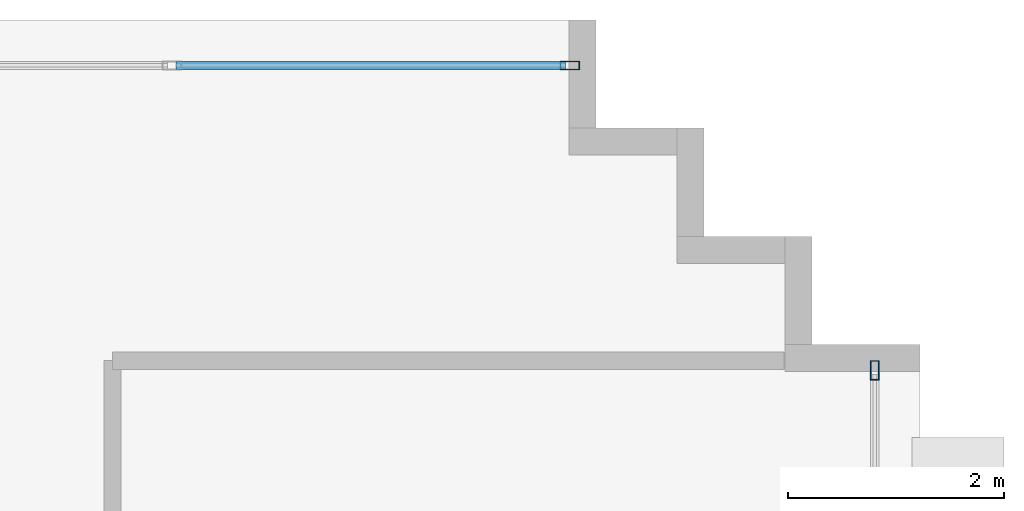
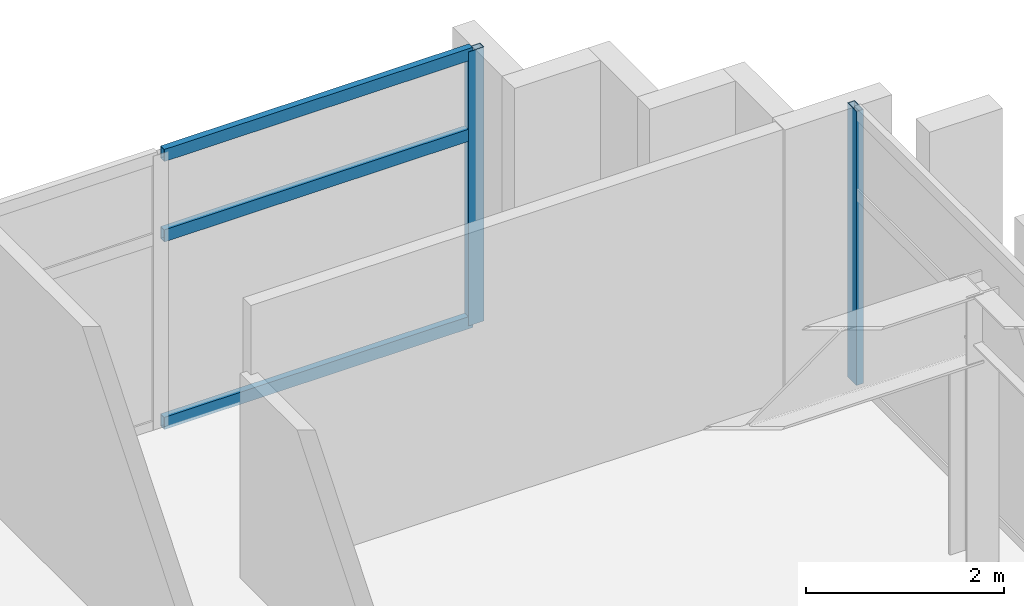
# One storey, part 10 of 15: 5 members, 2 elements without a shape of their own.
"""IFC4 building model written with IfcOpenShell, lengths in metres."""

from ifc_helpers import new_model, si_unit, direction, frame, origin, origin_2d, place, context, subcontext, project, spatial, hollow_rectangle, extrude, source, transform, mapped, material, layer, layer_set, material_profile, profile_set, type_object, element, aggregate, save


model = new_model("IFC4")

# Units and contexts
model_context = context("Model", 3, precision=1e-05, world=origin(), true_north=direction((0.0, 1.0)))
body_context = subcontext(model_context, "Body", "Model", "MODEL_VIEW")
ifc_project = project(units=[si_unit("LENGTHUNIT", "METRE"), si_unit("AREAUNIT", "SQUARE_METRE"), si_unit("VOLUMEUNIT", "CUBIC_METRE"), si_unit("PLANEANGLEUNIT", "RADIAN"), si_unit("MASSUNIT", "GRAM", prefix="KILO")], contexts=[model_context])

# Site, building, storey
site_placement = place(None, origin())
site = spatial("IfcSite", under=ifc_project, at=site_placement, CompositionType="ELEMENT")
building_placement = place(site_placement, origin())
building = spatial("IfcBuilding", under=site, at=building_placement, Name="Ocotamira Hotel", CompositionType="ELEMENT")
storey_placement = place(building_placement, frame((0.0, 0.0, 283.199951171875)))
storey = spatial("IfcBuildingStorey", under=building, at=storey_placement, Name="L72", CompositionType="ELEMENT", Elevation=283.199951171875)

# Curtain wall, member
ifc_material_1 = material(Name="Anodised pale-metal aluminium and solar glass", Category="aluminium")
ifc_layer = layer(ifc_material_1, 0.2099609375)
ifc_layer_set = layer_set([ifc_layer], Name="Anodised pale-metal aluminium and solar glass")
curtain_wall_type = type_object("IfcCurtainWallType", Name="CW-SYS7-PEAK", PredefinedType="NOTDEFINED", material=ifc_layer_set)
curtain_wall_1_placement = place(storey_placement, origin())
curtain_wall_1 = element("IfcCurtainWall", 1, at=curtain_wall_1_placement, inside=storey, type_object=curtain_wall_type, Name="L72 Curtain Wall CW-7 CW-L72-N", PredefinedType="NOTDEFINED")
ifc_material_2 = material(Name="Anodised pale-metal aluminium 6063-T6", Category="aluminium")
ifc_material_profile_1 = material_profile(ifc_material_2, hollow_rectangle(XDim=0.080078125, YDim=0.179931640625, WallThickness=0.006103515625, at=origin_2d()), Name="HSS180X80X6")
ifc_profile_set_1 = profile_set([ifc_material_profile_1], Name="Anodised pale-metal aluminium 6063-T6")
member_type_1 = type_object("IfcMemberType", Name="CWM-180X75", PredefinedType="MULLION", material=ifc_profile_set_1)
shared_shape_1 = source(origin(), body_context, "Body", "SweptSolid", [
    extrude(hollow_rectangle(XDim=0.080078125, YDim=0.179931640625, WallThickness=0.006103515625, at=origin_2d()), origin(), (0.0, 0.0, 1.0), 3.380126953125),
])
member_1_placement = place(storey_placement, frame((29.760009765625, 43.580078125, 0.0), z_axis=(0.0, 0.0, 1.0), x_axis=(0.0, 1.0, 0.0)))
member_1 = element("IfcMember", 2, at=member_1_placement, type_object=member_type_1, Name="CW-7 mullion 6", PredefinedType="MULLION", context=body_context, shape_type="MappedRepresentation", body=[
    mapped(shared_shape_1, transform((0.0, 0.0, 0.0), scale=1.0)),
])

curtain_wall_2_placement = place(storey_placement, origin())
curtain_wall_2 = element("IfcCurtainWall", 3, at=curtain_wall_2_placement, inside=storey, type_object=curtain_wall_type, Name="L72 Curtain Wall CW-7 CW-L72-E2", PredefinedType="NOTDEFINED")
member_2_placement = place(storey_placement, frame((32.580078125, 40.760009765625, 0.0), z_axis=(0.0, 0.0, 1.0), x_axis=(-1.0, 0.0, 0.0)))
member_2 = element("IfcMember", 4, at=member_2_placement, type_object=member_type_1, Name="CW-7 mullion 4", PredefinedType="MULLION", context=body_context, shape_type="MappedRepresentation", body=[
    mapped(shared_shape_1, transform((0.0, 0.0, 0.0), scale=1.0)),
])
aggregate(curtain_wall_2, [member_2])

# Member
ifc_material_profile_2 = material_profile(ifc_material_2, hollow_rectangle(XDim=0.074951171875, YDim=0.14990234375, WallThickness=0.006103515625, at=origin_2d()), Name="HSS150X75X6")
ifc_profile_set_2 = profile_set([ifc_material_profile_2], Name="Anodised pale-metal aluminium 6063-T6")
member_type_2 = type_object("IfcMemberType", Name="CWT-150X75", PredefinedType="USERDEFINED", material=ifc_profile_set_2)
shared_shape_2 = source(origin(), body_context, "Body", "SweptSolid", [
    extrude(hollow_rectangle(XDim=0.074951171875, YDim=0.14990234375, WallThickness=0.006103515625, at=origin_2d()), origin(), (0.0, 0.0, 1.0), 3.599853515625),
])
member_3_placement = place(storey_placement, frame((26.1201171875, 43.580078125, 0.03759765625), z_axis=(1.0, 0.0, 0.0), x_axis=(0.0, 1.0, 0.0)))
member_3 = element("IfcMember", 5, at=member_3_placement, type_object=member_type_2, Name="CW-7 transom 5.1", ObjectType="TRANSOM", PredefinedType="USERDEFINED", context=body_context, shape_type="MappedRepresentation", body=[
    mapped(shared_shape_2, transform((0.0, 0.0, 0.0), scale=1.0)),
])

member_4_placement = place(storey_placement, frame((26.1201171875, 43.580078125, 2.35009765625), z_axis=(1.0, 0.0, 0.0), x_axis=(0.0, 1.0, 0.0)))
member_4 = element("IfcMember", 6, at=member_4_placement, type_object=member_type_2, Name="CW-7 transom 5.2", ObjectType="TRANSOM", PredefinedType="USERDEFINED", context=body_context, shape_type="MappedRepresentation", body=[
    mapped(shared_shape_2, transform((0.0, 0.0, 0.0), scale=1.0)),
])

member_5_placement = place(storey_placement, frame((26.1201171875, 43.580078125, 3.342529296875), z_axis=(1.0, 0.0, 0.0), x_axis=(0.0, 1.0, 0.0)))
member_5 = element("IfcMember", 7, at=member_5_placement, type_object=member_type_2, Name="CW-7 transom 5.3", ObjectType="TRANSOM", PredefinedType="USERDEFINED", context=body_context, shape_type="MappedRepresentation", body=[
    mapped(shared_shape_2, transform((0.0, 0.0, 0.0), scale=1.0)),
])

aggregate(curtain_wall_1, [member_1, member_3, member_4, member_5])

save(model, "model.ifc")
